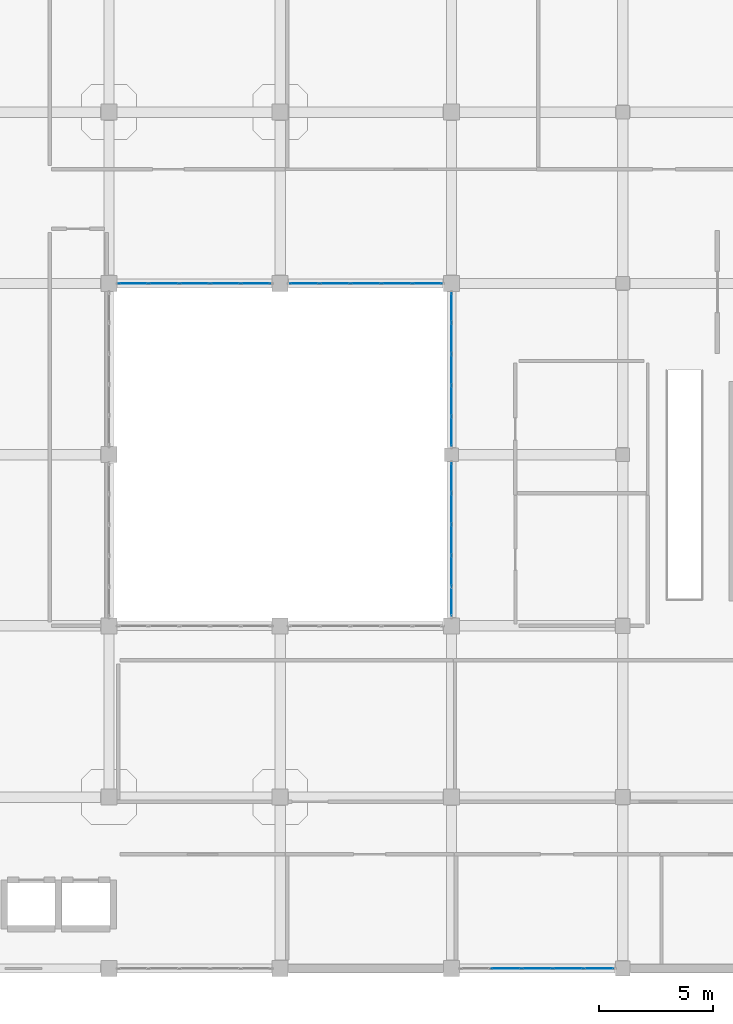
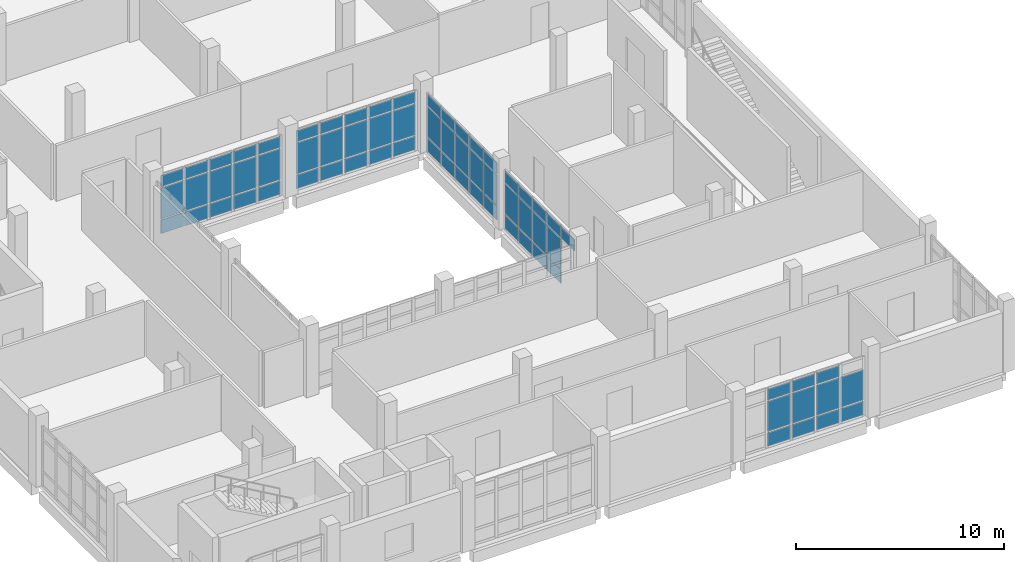
# One storey, part 122 of 164: 69 plates, 5 elements without a shape of their own.
"""IFC4 building model written with IfcOpenShell, lengths in metres."""

from ifc_helpers import new_model, si_unit, direction, frame, origin, origin_2d, place, context, subcontext, project, spatial, rectangle, extrude, material, layer, layer_set, type_object, element, aggregate, save


model = new_model("IFC4")

# Units and contexts
model_context = context("Model", 3, precision=1e-05, world=origin(), true_north=direction((0.0, 1.0)))
body_context = subcontext(model_context, "Body", "Model", "MODEL_VIEW")
ifc_project = project(units=[si_unit("LENGTHUNIT", "METRE"), si_unit("AREAUNIT", "SQUARE_METRE"), si_unit("VOLUMEUNIT", "CUBIC_METRE"), si_unit("PLANEANGLEUNIT", "RADIAN"), si_unit("MASSUNIT", "GRAM", prefix="KILO")], contexts=[model_context])

# Site, building, storey
site_placement = place(None, origin())
site = spatial("IfcSite", under=ifc_project, at=site_placement, CompositionType="ELEMENT")
building_placement = place(site_placement, origin())
building = spatial("IfcBuilding", under=site, at=building_placement, Name="Mawjan Specialist Oncology Clinic", CompositionType="ELEMENT")
storey_placement = place(building_placement, frame((0.0, 0.0, 5.0)))
storey = spatial("IfcBuildingStorey", under=building, at=storey_placement, Name="L01", CompositionType="ELEMENT", Elevation=5.0)

# Curtain wall, plates
ifc_material_1 = material(Name="Unitised spectrally selective aluminium curtain wall", Category="aluminium")
ifc_layer_1 = layer(ifc_material_1, 0.179931640625, Name="Unitised spectrally selective aluminium curtain wall", Category="aluminium")
ifc_layer_set_1 = layer_set([ifc_layer_1], Name="Unitised spectrally selective aluminium curtain wall")
curtain_wall_type_1 = type_object("IfcCurtainWallType", Name="CW-72", PredefinedType="NOTDEFINED", material=ifc_layer_set_1)
curtain_wall_1_placement = place(storey_placement, origin())
curtain_wall_1 = element("IfcCurtainWall", 1, at=curtain_wall_1_placement, inside=storey, type_object=curtain_wall_type_1, Name="L01 Unitised Curtain Wall CW-L01-142", PredefinedType="NOTDEFINED")
ifc_material_2 = material(Name="Spectrally selective double low-E glazing", Category="glass")
ifc_layer_2 = layer(ifc_material_2, 0.031982421875, Name="Spectrally selective double low-E glazing", Category="glass")
ifc_layer_set_2 = layer_set([ifc_layer_2], Name="Spectrally selective double low-E glazing")
plate_type = type_object("IfcPlateType", Name="CW-P32", PredefinedType="CURTAIN_PANEL", material=ifc_layer_set_2)
plate_1_placement = place(storey_placement, frame((36.460205078125, 0.800048828125, 0.06494140625), z_axis=(0.0, 0.0, 1.0), x_axis=(-1.0, 0.0, 0.0)))
plate_1 = element("IfcPlate", 2, at=plate_1_placement, type_object=plate_type, Name="CW-72 panel 1.1", PredefinedType="CURTAIN_PANEL", context=body_context, shape_type="SweptSolid", body=[
    extrude(rectangle(XDim=1.259521484375, YDim=0.031982421875, at=origin_2d()), origin(), (0.0, 0.0, 1.0), 0.802490234375),
])
plate_2_placement = place(storey_placement, frame((36.460205078125, 0.800048828125, 0.932373046875), z_axis=(0.0, 0.0, 1.0), x_axis=(-1.0, 0.0, 0.0)))
plate_2 = element("IfcPlate", 3, at=plate_2_placement, type_object=plate_type, Name="CW-72 panel 1.2", PredefinedType="CURTAIN_PANEL", context=body_context, shape_type="SweptSolid", body=[
    extrude(rectangle(XDim=1.259521484375, YDim=0.031982421875, at=origin_2d()), origin(), (0.0, 0.0, 1.0), 1.77001953125),
])
plate_3_placement = place(storey_placement, frame((35.119384765625, 0.800048828125, 0.06494140625), z_axis=(0.0, 0.0, 1.0), x_axis=(-1.0, 0.0, 0.0)))
plate_3 = element("IfcPlate", 4, at=plate_3_placement, type_object=plate_type, Name="CW-72 panel 2.1", PredefinedType="CURTAIN_PANEL", context=body_context, shape_type="SweptSolid", body=[
    extrude(rectangle(XDim=1.2919921875, YDim=0.031982421875, at=origin_2d()), origin(), (0.0, 0.0, 1.0), 0.802490234375),
])
plate_4_placement = place(storey_placement, frame((35.119384765625, 0.800048828125, 0.932373046875), z_axis=(0.0, 0.0, 1.0), x_axis=(-1.0, 0.0, 0.0)))
plate_4 = element("IfcPlate", 5, at=plate_4_placement, type_object=plate_type, Name="CW-72 panel 2.2", PredefinedType="CURTAIN_PANEL", context=body_context, shape_type="SweptSolid", body=[
    extrude(rectangle(XDim=1.2919921875, YDim=0.031982421875, at=origin_2d()), origin(), (0.0, 0.0, 1.0), 1.77001953125),
])
plate_5_placement = place(storey_placement, frame((35.119384765625, 0.800048828125, 2.767578125), z_axis=(0.0, 0.0, 1.0), x_axis=(-1.0, 0.0, 0.0)))
plate_5 = element("IfcPlate", 6, at=plate_5_placement, type_object=plate_type, Name="CW-72 panel 2.3", PredefinedType="CURTAIN_PANEL", context=body_context, shape_type="SweptSolid", body=[
    extrude(rectangle(XDim=1.2919921875, YDim=0.031982421875, at=origin_2d()), origin(), (0.0, 0.0, 1.0), 0.652587890625),
])
plate_6_placement = place(storey_placement, frame((33.762451171875, 0.800048828125, 0.06494140625), z_axis=(0.0, 0.0, 1.0), x_axis=(-1.0, 0.0, 0.0)))
plate_6 = element("IfcPlate", 7, at=plate_6_placement, type_object=plate_type, Name="CW-72 panel 3.1", PredefinedType="CURTAIN_PANEL", context=body_context, shape_type="SweptSolid", body=[
    extrude(rectangle(XDim=1.2919921875, YDim=0.031982421875, at=origin_2d()), origin(), (0.0, 0.0, 1.0), 0.802490234375),
])
plate_7_placement = place(storey_placement, frame((33.762451171875, 0.800048828125, 0.932373046875), z_axis=(0.0, 0.0, 1.0), x_axis=(-1.0, 0.0, 0.0)))
plate_7 = element("IfcPlate", 8, at=plate_7_placement, type_object=plate_type, Name="CW-72 panel 3.2", PredefinedType="CURTAIN_PANEL", context=body_context, shape_type="SweptSolid", body=[
    extrude(rectangle(XDim=1.2919921875, YDim=0.031982421875, at=origin_2d()), origin(), (0.0, 0.0, 1.0), 1.77001953125),
])
plate_8_placement = place(storey_placement, frame((33.762451171875, 0.800048828125, 2.767578125), z_axis=(0.0, 0.0, 1.0), x_axis=(-1.0, 0.0, 0.0)))
plate_8 = element("IfcPlate", 9, at=plate_8_placement, type_object=plate_type, Name="CW-72 panel 3.3", PredefinedType="CURTAIN_PANEL", context=body_context, shape_type="SweptSolid", body=[
    extrude(rectangle(XDim=1.2919921875, YDim=0.031982421875, at=origin_2d()), origin(), (0.0, 0.0, 1.0), 0.652587890625),
])
plate_9_placement = place(storey_placement, frame((32.405517578125, 0.800048828125, 0.06494140625), z_axis=(0.0, 0.0, 1.0), x_axis=(-1.0, 0.0, 0.0)))
plate_9 = element("IfcPlate", 10, at=plate_9_placement, type_object=plate_type, Name="CW-72 panel 4.1", PredefinedType="CURTAIN_PANEL", context=body_context, shape_type="SweptSolid", body=[
    extrude(rectangle(XDim=1.2919921875, YDim=0.031982421875, at=origin_2d()), origin(), (0.0, 0.0, 1.0), 0.802490234375),
])
plate_10_placement = place(storey_placement, frame((32.405517578125, 0.800048828125, 0.932373046875), z_axis=(0.0, 0.0, 1.0), x_axis=(-1.0, 0.0, 0.0)))
plate_10 = element("IfcPlate", 11, at=plate_10_placement, type_object=plate_type, Name="CW-72 panel 4.2", PredefinedType="CURTAIN_PANEL", context=body_context, shape_type="SweptSolid", body=[
    extrude(rectangle(XDim=1.2919921875, YDim=0.031982421875, at=origin_2d()), origin(), (0.0, 0.0, 1.0), 1.77001953125),
])
plate_11_placement = place(storey_placement, frame((32.405517578125, 0.800048828125, 2.767578125), z_axis=(0.0, 0.0, 1.0), x_axis=(-1.0, 0.0, 0.0)))
plate_11 = element("IfcPlate", 12, at=plate_11_placement, type_object=plate_type, Name="CW-72 panel 4.3", PredefinedType="CURTAIN_PANEL", context=body_context, shape_type="SweptSolid", body=[
    extrude(rectangle(XDim=1.2919921875, YDim=0.031982421875, at=origin_2d()), origin(), (0.0, 0.0, 1.0), 0.652587890625),
])
aggregate(curtain_wall_1, [plate_1, plate_2, plate_3, plate_4, plate_5, plate_6, plate_7, plate_8, plate_9, plate_10, plate_11])

ifc_material_3 = material(Name="Unitised spectrally selective aluminium curtain wall", Category="aluminium")
ifc_layer_3 = layer(ifc_material_3, 0.179931640625, Name="Unitised spectrally selective aluminium curtain wall", Category="aluminium")
ifc_layer_set_3 = layer_set([ifc_layer_3], Name="Unitised spectrally selective aluminium curtain wall")
curtain_wall_type_2 = type_object("IfcCurtainWallType", Name="CW-80", PredefinedType="NOTDEFINED", material=ifc_layer_set_3)
curtain_wall_2_placement = place(storey_placement, origin())
curtain_wall_2 = element("IfcCurtainWall", 13, at=curtain_wall_2_placement, inside=storey, type_object=curtain_wall_type_2, Name="L01 Unitised Curtain Wall CW-L01-159", PredefinedType="NOTDEFINED")
plate_12_placement = place(storey_placement, frame((30.0, 16.8671875, 2.767578125), z_axis=(0.0, 0.0, 1.0), x_axis=(0.0, 1.0, 0.0)))
plate_12 = element("IfcPlate", 14, at=plate_12_placement, type_object=plate_type, Name="CW-80 panel 1.3", PredefinedType="CURTAIN_PANEL", context=body_context, shape_type="SweptSolid", body=[
    extrude(rectangle(XDim=1.264404296875, YDim=0.031982421875, at=origin_2d()), origin(), (0.0, 0.0, 1.0), 0.652587890625),
])
plate_13_placement = place(storey_placement, frame((30.0, 18.212890625, 0.06494140625), z_axis=(0.0, 0.0, 1.0), x_axis=(0.0, 1.0, 0.0)))
plate_13 = element("IfcPlate", 15, at=plate_13_placement, type_object=plate_type, Name="CW-80 panel 2.1", PredefinedType="CURTAIN_PANEL", context=body_context, shape_type="SweptSolid", body=[
    extrude(rectangle(XDim=1.297119140625, YDim=0.031982421875, at=origin_2d()), origin(), (0.0, 0.0, 1.0), 0.802490234375),
])
plate_14_placement = place(storey_placement, frame((30.0, 18.212890625, 0.932373046875), z_axis=(0.0, 0.0, 1.0), x_axis=(0.0, 1.0, 0.0)))
plate_14 = element("IfcPlate", 16, at=plate_14_placement, type_object=plate_type, Name="CW-80 panel 2.2", PredefinedType="CURTAIN_PANEL", context=body_context, shape_type="SweptSolid", body=[
    extrude(rectangle(XDim=1.297119140625, YDim=0.031982421875, at=origin_2d()), origin(), (0.0, 0.0, 1.0), 1.77001953125),
])
plate_15_placement = place(storey_placement, frame((30.0, 18.212890625, 2.767578125), z_axis=(0.0, 0.0, 1.0), x_axis=(0.0, 1.0, 0.0)))
plate_15 = element("IfcPlate", 17, at=plate_15_placement, type_object=plate_type, Name="CW-80 panel 2.3", PredefinedType="CURTAIN_PANEL", context=body_context, shape_type="SweptSolid", body=[
    extrude(rectangle(XDim=1.297119140625, YDim=0.031982421875, at=origin_2d()), origin(), (0.0, 0.0, 1.0), 0.652587890625),
])
plate_16_placement = place(storey_placement, frame((30.0, 19.574951171875, 0.06494140625), z_axis=(0.0, 0.0, 1.0), x_axis=(0.0, 1.0, 0.0)))
plate_16 = element("IfcPlate", 18, at=plate_16_placement, type_object=plate_type, Name="CW-80 panel 3.1", PredefinedType="CURTAIN_PANEL", context=body_context, shape_type="SweptSolid", body=[
    extrude(rectangle(XDim=1.297119140625, YDim=0.031982421875, at=origin_2d()), origin(), (0.0, 0.0, 1.0), 0.802490234375),
])
plate_17_placement = place(storey_placement, frame((30.0, 19.574951171875, 0.932373046875), z_axis=(0.0, 0.0, 1.0), x_axis=(0.0, 1.0, 0.0)))
plate_17 = element("IfcPlate", 19, at=plate_17_placement, type_object=plate_type, Name="CW-80 panel 3.2", PredefinedType="CURTAIN_PANEL", context=body_context, shape_type="SweptSolid", body=[
    extrude(rectangle(XDim=1.297119140625, YDim=0.031982421875, at=origin_2d()), origin(), (0.0, 0.0, 1.0), 1.77001953125),
])
plate_18_placement = place(storey_placement, frame((30.0, 19.574951171875, 2.767578125), z_axis=(0.0, 0.0, 1.0), x_axis=(0.0, 1.0, 0.0)))
plate_18 = element("IfcPlate", 20, at=plate_18_placement, type_object=plate_type, Name="CW-80 panel 3.3", PredefinedType="CURTAIN_PANEL", context=body_context, shape_type="SweptSolid", body=[
    extrude(rectangle(XDim=1.297119140625, YDim=0.031982421875, at=origin_2d()), origin(), (0.0, 0.0, 1.0), 0.652587890625),
])
plate_19_placement = place(storey_placement, frame((30.0, 20.93701171875, 0.06494140625), z_axis=(0.0, 0.0, 1.0), x_axis=(0.0, 1.0, 0.0)))
plate_19 = element("IfcPlate", 21, at=plate_19_placement, type_object=plate_type, Name="CW-80 panel 4.1", PredefinedType="CURTAIN_PANEL", context=body_context, shape_type="SweptSolid", body=[
    extrude(rectangle(XDim=1.297119140625, YDim=0.031982421875, at=origin_2d()), origin(), (0.0, 0.0, 1.0), 0.802490234375),
])
plate_20_placement = place(storey_placement, frame((30.0, 20.93701171875, 0.932373046875), z_axis=(0.0, 0.0, 1.0), x_axis=(0.0, 1.0, 0.0)))
plate_20 = element("IfcPlate", 22, at=plate_20_placement, type_object=plate_type, Name="CW-80 panel 4.2", PredefinedType="CURTAIN_PANEL", context=body_context, shape_type="SweptSolid", body=[
    extrude(rectangle(XDim=1.297119140625, YDim=0.031982421875, at=origin_2d()), origin(), (0.0, 0.0, 1.0), 1.77001953125),
])
plate_21_placement = place(storey_placement, frame((30.0, 20.93701171875, 2.767578125), z_axis=(0.0, 0.0, 1.0), x_axis=(0.0, 1.0, 0.0)))
plate_21 = element("IfcPlate", 23, at=plate_21_placement, type_object=plate_type, Name="CW-80 panel 4.3", PredefinedType="CURTAIN_PANEL", context=body_context, shape_type="SweptSolid", body=[
    extrude(rectangle(XDim=1.297119140625, YDim=0.031982421875, at=origin_2d()), origin(), (0.0, 0.0, 1.0), 0.652587890625),
])
plate_22_placement = place(storey_placement, frame((30.0, 22.28271484375, 0.06494140625), z_axis=(0.0, 0.0, 1.0), x_axis=(0.0, 1.0, 0.0)))
plate_22 = element("IfcPlate", 24, at=plate_22_placement, type_object=plate_type, Name="CW-80 panel 5.1", PredefinedType="CURTAIN_PANEL", context=body_context, shape_type="SweptSolid", body=[
    extrude(rectangle(XDim=1.264404296875, YDim=0.031982421875, at=origin_2d()), origin(), (0.0, 0.0, 1.0), 0.802490234375),
])
plate_23_placement = place(storey_placement, frame((30.0, 22.28271484375, 0.932373046875), z_axis=(0.0, 0.0, 1.0), x_axis=(0.0, 1.0, 0.0)))
plate_23 = element("IfcPlate", 25, at=plate_23_placement, type_object=plate_type, Name="CW-80 panel 5.2", PredefinedType="CURTAIN_PANEL", context=body_context, shape_type="SweptSolid", body=[
    extrude(rectangle(XDim=1.264404296875, YDim=0.031982421875, at=origin_2d()), origin(), (0.0, 0.0, 1.0), 1.77001953125),
])
plate_24_placement = place(storey_placement, frame((30.0, 22.28271484375, 2.767578125), z_axis=(0.0, 0.0, 1.0), x_axis=(0.0, 1.0, 0.0)))
plate_24 = element("IfcPlate", 26, at=plate_24_placement, type_object=plate_type, Name="CW-80 panel 5.3", PredefinedType="CURTAIN_PANEL", context=body_context, shape_type="SweptSolid", body=[
    extrude(rectangle(XDim=1.264404296875, YDim=0.031982421875, at=origin_2d()), origin(), (0.0, 0.0, 1.0), 0.652587890625),
])
aggregate(curtain_wall_2, [plate_12, plate_13, plate_14, plate_15, plate_16, plate_17, plate_18, plate_19, plate_20, plate_21, plate_22, plate_23, plate_24])

curtain_wall_3_placement = place(storey_placement, origin())
curtain_wall_3 = element("IfcCurtainWall", 27, at=curtain_wall_3_placement, inside=storey, type_object=curtain_wall_type_2, Name="L01 Unitised Curtain Wall CW-L01-160", PredefinedType="NOTDEFINED")
plate_25_placement = place(storey_placement, frame((30.0, 24.317138671875, 0.06494140625), z_axis=(0.0, 0.0, 1.0), x_axis=(0.0, 1.0, 0.0)))
plate_25 = element("IfcPlate", 28, at=plate_25_placement, type_object=plate_type, Name="CW-80 panel 1.1", PredefinedType="CURTAIN_PANEL", context=body_context, shape_type="SweptSolid", body=[
    extrude(rectangle(XDim=1.264404296875, YDim=0.031982421875, at=origin_2d()), origin(), (0.0, 0.0, 1.0), 0.802490234375),
])
plate_26_placement = place(storey_placement, frame((30.0, 24.317138671875, 0.932373046875), z_axis=(0.0, 0.0, 1.0), x_axis=(0.0, 1.0, 0.0)))
plate_26 = element("IfcPlate", 29, at=plate_26_placement, type_object=plate_type, Name="CW-80 panel 1.2", PredefinedType="CURTAIN_PANEL", context=body_context, shape_type="SweptSolid", body=[
    extrude(rectangle(XDim=1.264404296875, YDim=0.031982421875, at=origin_2d()), origin(), (0.0, 0.0, 1.0), 1.77001953125),
])
plate_27_placement = place(storey_placement, frame((30.0, 24.317138671875, 2.767578125), z_axis=(0.0, 0.0, 1.0), x_axis=(0.0, 1.0, 0.0)))
plate_27 = element("IfcPlate", 30, at=plate_27_placement, type_object=plate_type, Name="CW-80 panel 1.3", PredefinedType="CURTAIN_PANEL", context=body_context, shape_type="SweptSolid", body=[
    extrude(rectangle(XDim=1.264404296875, YDim=0.031982421875, at=origin_2d()), origin(), (0.0, 0.0, 1.0), 0.652587890625),
])
plate_28_placement = place(storey_placement, frame((30.0, 25.6630859375, 0.06494140625), z_axis=(0.0, 0.0, 1.0), x_axis=(0.0, 1.0, 0.0)))
plate_28 = element("IfcPlate", 31, at=plate_28_placement, type_object=plate_type, Name="CW-80 panel 2.1", PredefinedType="CURTAIN_PANEL", context=body_context, shape_type="SweptSolid", body=[
    extrude(rectangle(XDim=1.297119140625, YDim=0.031982421875, at=origin_2d()), origin(), (0.0, 0.0, 1.0), 0.802490234375),
])
plate_29_placement = place(storey_placement, frame((30.0, 25.6630859375, 0.932373046875), z_axis=(0.0, 0.0, 1.0), x_axis=(0.0, 1.0, 0.0)))
plate_29 = element("IfcPlate", 32, at=plate_29_placement, type_object=plate_type, Name="CW-80 panel 2.2", PredefinedType="CURTAIN_PANEL", context=body_context, shape_type="SweptSolid", body=[
    extrude(rectangle(XDim=1.297119140625, YDim=0.031982421875, at=origin_2d()), origin(), (0.0, 0.0, 1.0), 1.77001953125),
])
plate_30_placement = place(storey_placement, frame((30.0, 25.6630859375, 2.767578125), z_axis=(0.0, 0.0, 1.0), x_axis=(0.0, 1.0, 0.0)))
plate_30 = element("IfcPlate", 33, at=plate_30_placement, type_object=plate_type, Name="CW-80 panel 2.3", PredefinedType="CURTAIN_PANEL", context=body_context, shape_type="SweptSolid", body=[
    extrude(rectangle(XDim=1.297119140625, YDim=0.031982421875, at=origin_2d()), origin(), (0.0, 0.0, 1.0), 0.652587890625),
])
plate_31_placement = place(storey_placement, frame((30.0, 27.02490234375, 0.06494140625), z_axis=(0.0, 0.0, 1.0), x_axis=(0.0, 1.0, 0.0)))
plate_31 = element("IfcPlate", 34, at=plate_31_placement, type_object=plate_type, Name="CW-80 panel 3.1", PredefinedType="CURTAIN_PANEL", context=body_context, shape_type="SweptSolid", body=[
    extrude(rectangle(XDim=1.297119140625, YDim=0.031982421875, at=origin_2d()), origin(), (0.0, 0.0, 1.0), 0.802490234375),
])
plate_32_placement = place(storey_placement, frame((30.0, 27.02490234375, 0.932373046875), z_axis=(0.0, 0.0, 1.0), x_axis=(0.0, 1.0, 0.0)))
plate_32 = element("IfcPlate", 35, at=plate_32_placement, type_object=plate_type, Name="CW-80 panel 3.2", PredefinedType="CURTAIN_PANEL", context=body_context, shape_type="SweptSolid", body=[
    extrude(rectangle(XDim=1.297119140625, YDim=0.031982421875, at=origin_2d()), origin(), (0.0, 0.0, 1.0), 1.77001953125),
])
plate_33_placement = place(storey_placement, frame((30.0, 27.02490234375, 2.767578125), z_axis=(0.0, 0.0, 1.0), x_axis=(0.0, 1.0, 0.0)))
plate_33 = element("IfcPlate", 36, at=plate_33_placement, type_object=plate_type, Name="CW-80 panel 3.3", PredefinedType="CURTAIN_PANEL", context=body_context, shape_type="SweptSolid", body=[
    extrude(rectangle(XDim=1.297119140625, YDim=0.031982421875, at=origin_2d()), origin(), (0.0, 0.0, 1.0), 0.652587890625),
])
plate_34_placement = place(storey_placement, frame((30.0, 28.386962890625, 0.06494140625), z_axis=(0.0, 0.0, 1.0), x_axis=(0.0, 1.0, 0.0)))
plate_34 = element("IfcPlate", 37, at=plate_34_placement, type_object=plate_type, Name="CW-80 panel 4.1", PredefinedType="CURTAIN_PANEL", context=body_context, shape_type="SweptSolid", body=[
    extrude(rectangle(XDim=1.297119140625, YDim=0.031982421875, at=origin_2d()), origin(), (0.0, 0.0, 1.0), 0.802490234375),
])
plate_35_placement = place(storey_placement, frame((30.0, 28.386962890625, 0.932373046875), z_axis=(0.0, 0.0, 1.0), x_axis=(0.0, 1.0, 0.0)))
plate_35 = element("IfcPlate", 38, at=plate_35_placement, type_object=plate_type, Name="CW-80 panel 4.2", PredefinedType="CURTAIN_PANEL", context=body_context, shape_type="SweptSolid", body=[
    extrude(rectangle(XDim=1.297119140625, YDim=0.031982421875, at=origin_2d()), origin(), (0.0, 0.0, 1.0), 1.77001953125),
])
plate_36_placement = place(storey_placement, frame((30.0, 28.386962890625, 2.767578125), z_axis=(0.0, 0.0, 1.0), x_axis=(0.0, 1.0, 0.0)))
plate_36 = element("IfcPlate", 39, at=plate_36_placement, type_object=plate_type, Name="CW-80 panel 4.3", PredefinedType="CURTAIN_PANEL", context=body_context, shape_type="SweptSolid", body=[
    extrude(rectangle(XDim=1.297119140625, YDim=0.031982421875, at=origin_2d()), origin(), (0.0, 0.0, 1.0), 0.652587890625),
])
plate_37_placement = place(storey_placement, frame((30.0, 29.732666015625, 0.06494140625), z_axis=(0.0, 0.0, 1.0), x_axis=(0.0, 1.0, 0.0)))
plate_37 = element("IfcPlate", 40, at=plate_37_placement, type_object=plate_type, Name="CW-80 panel 5.1", PredefinedType="CURTAIN_PANEL", context=body_context, shape_type="SweptSolid", body=[
    extrude(rectangle(XDim=1.264404296875, YDim=0.031982421875, at=origin_2d()), origin(), (0.0, 0.0, 1.0), 0.802490234375),
])
plate_38_placement = place(storey_placement, frame((30.0, 29.732666015625, 0.932373046875), z_axis=(0.0, 0.0, 1.0), x_axis=(0.0, 1.0, 0.0)))
plate_38 = element("IfcPlate", 41, at=plate_38_placement, type_object=plate_type, Name="CW-80 panel 5.2", PredefinedType="CURTAIN_PANEL", context=body_context, shape_type="SweptSolid", body=[
    extrude(rectangle(XDim=1.264404296875, YDim=0.031982421875, at=origin_2d()), origin(), (0.0, 0.0, 1.0), 1.77001953125),
])
plate_39_placement = place(storey_placement, frame((30.0, 29.732666015625, 2.767578125), z_axis=(0.0, 0.0, 1.0), x_axis=(0.0, 1.0, 0.0)))
plate_39 = element("IfcPlate", 42, at=plate_39_placement, type_object=plate_type, Name="CW-80 panel 5.3", PredefinedType="CURTAIN_PANEL", context=body_context, shape_type="SweptSolid", body=[
    extrude(rectangle(XDim=1.264404296875, YDim=0.031982421875, at=origin_2d()), origin(), (0.0, 0.0, 1.0), 0.652587890625),
])
aggregate(curtain_wall_3, [plate_25, plate_26, plate_27, plate_28, plate_29, plate_30, plate_31, plate_32, plate_33, plate_34, plate_35, plate_36, plate_37, plate_38, plate_39])

ifc_material_4 = material(Name="Unitised spectrally selective aluminium curtain wall", Category="aluminium")
ifc_layer_4 = layer(ifc_material_4, 0.179931640625, Name="Unitised spectrally selective aluminium curtain wall", Category="aluminium")
ifc_layer_set_4 = layer_set([ifc_layer_4], Name="Unitised spectrally selective aluminium curtain wall")
curtain_wall_type_3 = type_object("IfcCurtainWallType", Name="CW-73", PredefinedType="NOTDEFINED", material=ifc_layer_set_4)
curtain_wall_4_placement = place(storey_placement, origin())
curtain_wall_4 = element("IfcCurtainWall", 43, at=curtain_wall_4_placement, inside=storey, type_object=curtain_wall_type_3, Name="L01 Unitised Curtain Wall CW-L01-161", PredefinedType="NOTDEFINED")
plate_40_placement = place(storey_placement, frame((28.937744140625, 30.800048828125, 0.06494140625), z_axis=(0.0, 0.0, 1.0), x_axis=(-1.0, 0.0, 0.0)))
plate_40 = element("IfcPlate", 44, at=plate_40_placement, type_object=plate_type, Name="CW-73 panel 1.1", PredefinedType="CURTAIN_PANEL", context=body_context, shape_type="SweptSolid", body=[
    extrude(rectangle(XDim=1.25439453125, YDim=0.031982421875, at=origin_2d()), origin(), (0.0, 0.0, 1.0), 0.802490234375),
])
plate_41_placement = place(storey_placement, frame((28.937744140625, 30.800048828125, 0.9326171875), z_axis=(0.0, 0.0, 1.0), x_axis=(-1.0, 0.0, 0.0)))
plate_41 = element("IfcPlate", 45, at=plate_41_placement, type_object=plate_type, Name="CW-73 panel 1.2", PredefinedType="CURTAIN_PANEL", context=body_context, shape_type="SweptSolid", body=[
    extrude(rectangle(XDim=1.25439453125, YDim=0.031982421875, at=origin_2d()), origin(), (0.0, 0.0, 1.0), 1.820068359375),
])
plate_42_placement = place(storey_placement, frame((28.937744140625, 30.800048828125, 2.8173828125), z_axis=(0.0, 0.0, 1.0), x_axis=(-1.0, 0.0, 0.0)))
plate_42 = element("IfcPlate", 46, at=plate_42_placement, type_object=plate_type, Name="CW-73 panel 1.3", PredefinedType="CURTAIN_PANEL", context=body_context, shape_type="SweptSolid", body=[
    extrude(rectangle(XDim=1.25439453125, YDim=0.031982421875, at=origin_2d()), origin(), (0.0, 0.0, 1.0), 0.652587890625),
])
plate_43_placement = place(storey_placement, frame((27.60205078125, 30.800048828125, 0.06494140625), z_axis=(0.0, 0.0, 1.0), x_axis=(-1.0, 0.0, 0.0)))
plate_43 = element("IfcPlate", 47, at=plate_43_placement, type_object=plate_type, Name="CW-73 panel 2.1", PredefinedType="CURTAIN_PANEL", context=body_context, shape_type="SweptSolid", body=[
    extrude(rectangle(XDim=1.287109375, YDim=0.031982421875, at=origin_2d()), origin(), (0.0, 0.0, 1.0), 0.802490234375),
])
plate_44_placement = place(storey_placement, frame((27.60205078125, 30.800048828125, 0.9326171875), z_axis=(0.0, 0.0, 1.0), x_axis=(-1.0, 0.0, 0.0)))
plate_44 = element("IfcPlate", 48, at=plate_44_placement, type_object=plate_type, Name="CW-73 panel 2.2", PredefinedType="CURTAIN_PANEL", context=body_context, shape_type="SweptSolid", body=[
    extrude(rectangle(XDim=1.287109375, YDim=0.031982421875, at=origin_2d()), origin(), (0.0, 0.0, 1.0), 1.820068359375),
])
plate_45_placement = place(storey_placement, frame((27.60205078125, 30.800048828125, 2.8173828125), z_axis=(0.0, 0.0, 1.0), x_axis=(-1.0, 0.0, 0.0)))
plate_45 = element("IfcPlate", 49, at=plate_45_placement, type_object=plate_type, Name="CW-73 panel 2.3", PredefinedType="CURTAIN_PANEL", context=body_context, shape_type="SweptSolid", body=[
    extrude(rectangle(XDim=1.287109375, YDim=0.031982421875, at=origin_2d()), origin(), (0.0, 0.0, 1.0), 0.652587890625),
])
plate_46_placement = place(storey_placement, frame((26.25, 30.800048828125, 0.06494140625), z_axis=(0.0, 0.0, 1.0), x_axis=(-1.0, 0.0, 0.0)))
plate_46 = element("IfcPlate", 50, at=plate_46_placement, type_object=plate_type, Name="CW-73 panel 3.1", PredefinedType="CURTAIN_PANEL", context=body_context, shape_type="SweptSolid", body=[
    extrude(rectangle(XDim=1.287109375, YDim=0.031982421875, at=origin_2d()), origin(), (0.0, 0.0, 1.0), 0.802490234375),
])
plate_47_placement = place(storey_placement, frame((26.25, 30.800048828125, 0.9326171875), z_axis=(0.0, 0.0, 1.0), x_axis=(-1.0, 0.0, 0.0)))
plate_47 = element("IfcPlate", 51, at=plate_47_placement, type_object=plate_type, Name="CW-73 panel 3.2", PredefinedType="CURTAIN_PANEL", context=body_context, shape_type="SweptSolid", body=[
    extrude(rectangle(XDim=1.287109375, YDim=0.031982421875, at=origin_2d()), origin(), (0.0, 0.0, 1.0), 1.820068359375),
])
plate_48_placement = place(storey_placement, frame((26.25, 30.800048828125, 2.8173828125), z_axis=(0.0, 0.0, 1.0), x_axis=(-1.0, 0.0, 0.0)))
plate_48 = element("IfcPlate", 52, at=plate_48_placement, type_object=plate_type, Name="CW-73 panel 3.3", PredefinedType="CURTAIN_PANEL", context=body_context, shape_type="SweptSolid", body=[
    extrude(rectangle(XDim=1.287109375, YDim=0.031982421875, at=origin_2d()), origin(), (0.0, 0.0, 1.0), 0.652587890625),
])
plate_49_placement = place(storey_placement, frame((24.89794921875, 30.800048828125, 0.06494140625), z_axis=(0.0, 0.0, 1.0), x_axis=(-1.0, 0.0, 0.0)))
plate_49 = element("IfcPlate", 53, at=plate_49_placement, type_object=plate_type, Name="CW-73 panel 4.1", PredefinedType="CURTAIN_PANEL", context=body_context, shape_type="SweptSolid", body=[
    extrude(rectangle(XDim=1.287109375, YDim=0.031982421875, at=origin_2d()), origin(), (0.0, 0.0, 1.0), 0.802490234375),
])
plate_50_placement = place(storey_placement, frame((24.89794921875, 30.800048828125, 0.9326171875), z_axis=(0.0, 0.0, 1.0), x_axis=(-1.0, 0.0, 0.0)))
plate_50 = element("IfcPlate", 54, at=plate_50_placement, type_object=plate_type, Name="CW-73 panel 4.2", PredefinedType="CURTAIN_PANEL", context=body_context, shape_type="SweptSolid", body=[
    extrude(rectangle(XDim=1.287109375, YDim=0.031982421875, at=origin_2d()), origin(), (0.0, 0.0, 1.0), 1.820068359375),
])
plate_51_placement = place(storey_placement, frame((24.89794921875, 30.800048828125, 2.8173828125), z_axis=(0.0, 0.0, 1.0), x_axis=(-1.0, 0.0, 0.0)))
plate_51 = element("IfcPlate", 55, at=plate_51_placement, type_object=plate_type, Name="CW-73 panel 4.3", PredefinedType="CURTAIN_PANEL", context=body_context, shape_type="SweptSolid", body=[
    extrude(rectangle(XDim=1.287109375, YDim=0.031982421875, at=origin_2d()), origin(), (0.0, 0.0, 1.0), 0.652587890625),
])
plate_52_placement = place(storey_placement, frame((23.562255859375, 30.800048828125, 0.06494140625), z_axis=(0.0, 0.0, 1.0), x_axis=(-1.0, 0.0, 0.0)))
plate_52 = element("IfcPlate", 56, at=plate_52_placement, type_object=plate_type, Name="CW-73 panel 5.1", PredefinedType="CURTAIN_PANEL", context=body_context, shape_type="SweptSolid", body=[
    extrude(rectangle(XDim=1.25439453125, YDim=0.031982421875, at=origin_2d()), origin(), (0.0, 0.0, 1.0), 0.802490234375),
])
plate_53_placement = place(storey_placement, frame((23.562255859375, 30.800048828125, 0.9326171875), z_axis=(0.0, 0.0, 1.0), x_axis=(-1.0, 0.0, 0.0)))
plate_53 = element("IfcPlate", 57, at=plate_53_placement, type_object=plate_type, Name="CW-73 panel 5.2", PredefinedType="CURTAIN_PANEL", context=body_context, shape_type="SweptSolid", body=[
    extrude(rectangle(XDim=1.25439453125, YDim=0.031982421875, at=origin_2d()), origin(), (0.0, 0.0, 1.0), 1.820068359375),
])
plate_54_placement = place(storey_placement, frame((23.562255859375, 30.800048828125, 2.8173828125), z_axis=(0.0, 0.0, 1.0), x_axis=(-1.0, 0.0, 0.0)))
plate_54 = element("IfcPlate", 58, at=plate_54_placement, type_object=plate_type, Name="CW-73 panel 5.3", PredefinedType="CURTAIN_PANEL", context=body_context, shape_type="SweptSolid", body=[
    extrude(rectangle(XDim=1.25439453125, YDim=0.031982421875, at=origin_2d()), origin(), (0.0, 0.0, 1.0), 0.652587890625),
])
aggregate(curtain_wall_4, [plate_40, plate_41, plate_42, plate_43, plate_44, plate_45, plate_46, plate_47, plate_48, plate_49, plate_50, plate_51, plate_52, plate_53, plate_54])

curtain_wall_5_placement = place(storey_placement, origin())
curtain_wall_5 = element("IfcCurtainWall", 59, at=curtain_wall_5_placement, inside=storey, type_object=curtain_wall_type_3, Name="L01 Unitised Curtain Wall CW-L01-162", PredefinedType="NOTDEFINED")
plate_55_placement = place(storey_placement, frame((21.437744140625, 30.800048828125, 0.06494140625), z_axis=(0.0, 0.0, 1.0), x_axis=(-1.0, 0.0, 0.0)))
plate_55 = element("IfcPlate", 60, at=plate_55_placement, type_object=plate_type, Name="CW-73 panel 1.1", PredefinedType="CURTAIN_PANEL", context=body_context, shape_type="SweptSolid", body=[
    extrude(rectangle(XDim=1.25439453125, YDim=0.031982421875, at=origin_2d()), origin(), (0.0, 0.0, 1.0), 0.802490234375),
])
plate_56_placement = place(storey_placement, frame((21.437744140625, 30.800048828125, 0.9326171875), z_axis=(0.0, 0.0, 1.0), x_axis=(-1.0, 0.0, 0.0)))
plate_56 = element("IfcPlate", 61, at=plate_56_placement, type_object=plate_type, Name="CW-73 panel 1.2", PredefinedType="CURTAIN_PANEL", context=body_context, shape_type="SweptSolid", body=[
    extrude(rectangle(XDim=1.25439453125, YDim=0.031982421875, at=origin_2d()), origin(), (0.0, 0.0, 1.0), 1.820068359375),
])
plate_57_placement = place(storey_placement, frame((21.437744140625, 30.800048828125, 2.8173828125), z_axis=(0.0, 0.0, 1.0), x_axis=(-1.0, 0.0, 0.0)))
plate_57 = element("IfcPlate", 62, at=plate_57_placement, type_object=plate_type, Name="CW-73 panel 1.3", PredefinedType="CURTAIN_PANEL", context=body_context, shape_type="SweptSolid", body=[
    extrude(rectangle(XDim=1.25439453125, YDim=0.031982421875, at=origin_2d()), origin(), (0.0, 0.0, 1.0), 0.652587890625),
])
plate_58_placement = place(storey_placement, frame((20.10205078125, 30.800048828125, 0.06494140625), z_axis=(0.0, 0.0, 1.0), x_axis=(-1.0, 0.0, 0.0)))
plate_58 = element("IfcPlate", 63, at=plate_58_placement, type_object=plate_type, Name="CW-73 panel 2.1", PredefinedType="CURTAIN_PANEL", context=body_context, shape_type="SweptSolid", body=[
    extrude(rectangle(XDim=1.287109375, YDim=0.031982421875, at=origin_2d()), origin(), (0.0, 0.0, 1.0), 0.802490234375),
])
plate_59_placement = place(storey_placement, frame((20.10205078125, 30.800048828125, 0.9326171875), z_axis=(0.0, 0.0, 1.0), x_axis=(-1.0, 0.0, 0.0)))
plate_59 = element("IfcPlate", 64, at=plate_59_placement, type_object=plate_type, Name="CW-73 panel 2.2", PredefinedType="CURTAIN_PANEL", context=body_context, shape_type="SweptSolid", body=[
    extrude(rectangle(XDim=1.287109375, YDim=0.031982421875, at=origin_2d()), origin(), (0.0, 0.0, 1.0), 1.820068359375),
])
plate_60_placement = place(storey_placement, frame((20.10205078125, 30.800048828125, 2.8173828125), z_axis=(0.0, 0.0, 1.0), x_axis=(-1.0, 0.0, 0.0)))
plate_60 = element("IfcPlate", 65, at=plate_60_placement, type_object=plate_type, Name="CW-73 panel 2.3", PredefinedType="CURTAIN_PANEL", context=body_context, shape_type="SweptSolid", body=[
    extrude(rectangle(XDim=1.287109375, YDim=0.031982421875, at=origin_2d()), origin(), (0.0, 0.0, 1.0), 0.652587890625),
])
plate_61_placement = place(storey_placement, frame((18.75, 30.800048828125, 0.06494140625), z_axis=(0.0, 0.0, 1.0), x_axis=(-1.0, 0.0, 0.0)))
plate_61 = element("IfcPlate", 66, at=plate_61_placement, type_object=plate_type, Name="CW-73 panel 3.1", PredefinedType="CURTAIN_PANEL", context=body_context, shape_type="SweptSolid", body=[
    extrude(rectangle(XDim=1.287109375, YDim=0.031982421875, at=origin_2d()), origin(), (0.0, 0.0, 1.0), 0.802490234375),
])
plate_62_placement = place(storey_placement, frame((18.75, 30.800048828125, 0.9326171875), z_axis=(0.0, 0.0, 1.0), x_axis=(-1.0, 0.0, 0.0)))
plate_62 = element("IfcPlate", 67, at=plate_62_placement, type_object=plate_type, Name="CW-73 panel 3.2", PredefinedType="CURTAIN_PANEL", context=body_context, shape_type="SweptSolid", body=[
    extrude(rectangle(XDim=1.287109375, YDim=0.031982421875, at=origin_2d()), origin(), (0.0, 0.0, 1.0), 1.820068359375),
])
plate_63_placement = place(storey_placement, frame((18.75, 30.800048828125, 2.8173828125), z_axis=(0.0, 0.0, 1.0), x_axis=(-1.0, 0.0, 0.0)))
plate_63 = element("IfcPlate", 68, at=plate_63_placement, type_object=plate_type, Name="CW-73 panel 3.3", PredefinedType="CURTAIN_PANEL", context=body_context, shape_type="SweptSolid", body=[
    extrude(rectangle(XDim=1.287109375, YDim=0.031982421875, at=origin_2d()), origin(), (0.0, 0.0, 1.0), 0.652587890625),
])
plate_64_placement = place(storey_placement, frame((17.39794921875, 30.800048828125, 0.06494140625), z_axis=(0.0, 0.0, 1.0), x_axis=(-1.0, 0.0, 0.0)))
plate_64 = element("IfcPlate", 69, at=plate_64_placement, type_object=plate_type, Name="CW-73 panel 4.1", PredefinedType="CURTAIN_PANEL", context=body_context, shape_type="SweptSolid", body=[
    extrude(rectangle(XDim=1.287109375, YDim=0.031982421875, at=origin_2d()), origin(), (0.0, 0.0, 1.0), 0.802490234375),
])
plate_65_placement = place(storey_placement, frame((17.39794921875, 30.800048828125, 0.9326171875), z_axis=(0.0, 0.0, 1.0), x_axis=(-1.0, 0.0, 0.0)))
plate_65 = element("IfcPlate", 70, at=plate_65_placement, type_object=plate_type, Name="CW-73 panel 4.2", PredefinedType="CURTAIN_PANEL", context=body_context, shape_type="SweptSolid", body=[
    extrude(rectangle(XDim=1.287109375, YDim=0.031982421875, at=origin_2d()), origin(), (0.0, 0.0, 1.0), 1.820068359375),
])
plate_66_placement = place(storey_placement, frame((17.39794921875, 30.800048828125, 2.8173828125), z_axis=(0.0, 0.0, 1.0), x_axis=(-1.0, 0.0, 0.0)))
plate_66 = element("IfcPlate", 71, at=plate_66_placement, type_object=plate_type, Name="CW-73 panel 4.3", PredefinedType="CURTAIN_PANEL", context=body_context, shape_type="SweptSolid", body=[
    extrude(rectangle(XDim=1.287109375, YDim=0.031982421875, at=origin_2d()), origin(), (0.0, 0.0, 1.0), 0.652587890625),
])
plate_67_placement = place(storey_placement, frame((16.062255859375, 30.800048828125, 0.06494140625), z_axis=(0.0, 0.0, 1.0), x_axis=(-1.0, 0.0, 0.0)))
plate_67 = element("IfcPlate", 72, at=plate_67_placement, type_object=plate_type, Name="CW-73 panel 5.1", PredefinedType="CURTAIN_PANEL", context=body_context, shape_type="SweptSolid", body=[
    extrude(rectangle(XDim=1.25439453125, YDim=0.031982421875, at=origin_2d()), origin(), (0.0, 0.0, 1.0), 0.802490234375),
])
plate_68_placement = place(storey_placement, frame((16.062255859375, 30.800048828125, 0.9326171875), z_axis=(0.0, 0.0, 1.0), x_axis=(-1.0, 0.0, 0.0)))
plate_68 = element("IfcPlate", 73, at=plate_68_placement, type_object=plate_type, Name="CW-73 panel 5.2", PredefinedType="CURTAIN_PANEL", context=body_context, shape_type="SweptSolid", body=[
    extrude(rectangle(XDim=1.25439453125, YDim=0.031982421875, at=origin_2d()), origin(), (0.0, 0.0, 1.0), 1.820068359375),
])
plate_69_placement = place(storey_placement, frame((16.062255859375, 30.800048828125, 2.8173828125), z_axis=(0.0, 0.0, 1.0), x_axis=(-1.0, 0.0, 0.0)))
plate_69 = element("IfcPlate", 74, at=plate_69_placement, type_object=plate_type, Name="CW-73 panel 5.3", PredefinedType="CURTAIN_PANEL", context=body_context, shape_type="SweptSolid", body=[
    extrude(rectangle(XDim=1.25439453125, YDim=0.031982421875, at=origin_2d()), origin(), (0.0, 0.0, 1.0), 0.652587890625),
])
aggregate(curtain_wall_5, [plate_55, plate_56, plate_57, plate_58, plate_59, plate_60, plate_61, plate_62, plate_63, plate_64, plate_65, plate_66, plate_67, plate_68, plate_69])

save(model, "model.ifc")
